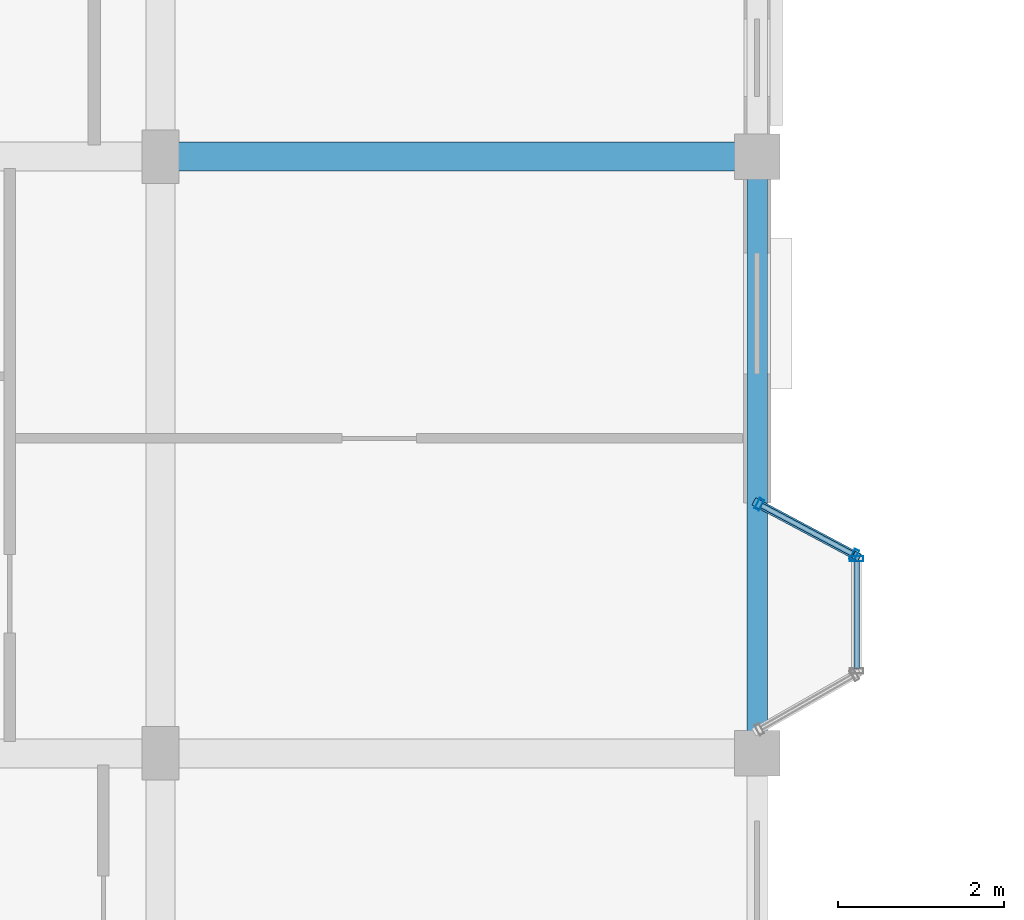
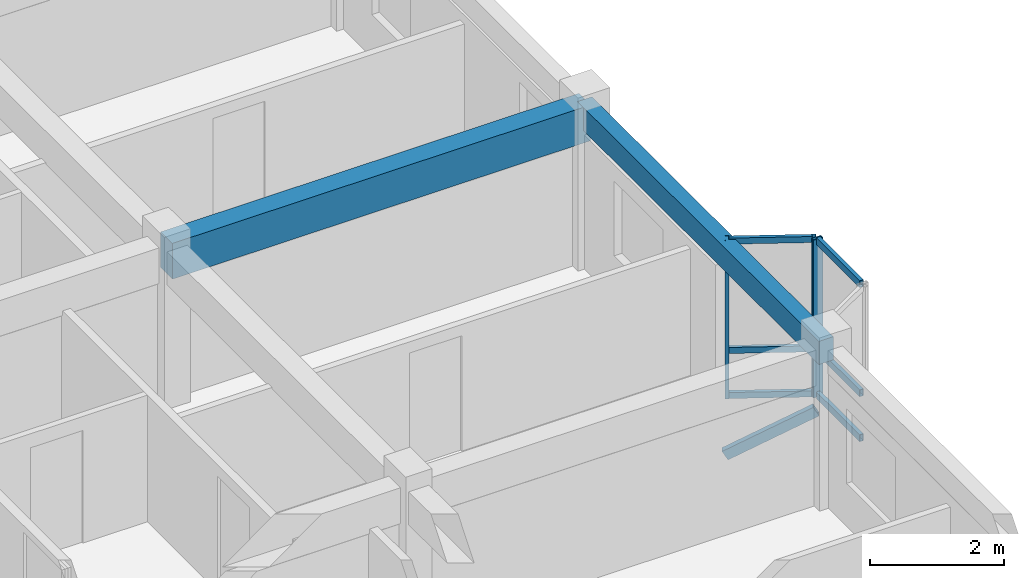
# One storey, part 11 of 77: 10 members, 2 beams, 2 elements without a shape of their own.
"""IFC4 building model written with IfcOpenShell, lengths in metres."""

from ifc_helpers import new_model, si_unit, direction, frame, origin, origin_2d, place, context, subcontext, project, spatial, rectangle, hollow_rectangle, extrude, material, layer, layer_set, material_profile, profile_set, type_object, element, aggregate, save


model = new_model("IFC4")

# Units and contexts
model_context = context("Model", 3, precision=1e-05, world=origin(), true_north=direction((0.0, 1.0)))
body_context = subcontext(model_context, "Body", "Model", "MODEL_VIEW")
ifc_project = project(units=[si_unit("LENGTHUNIT", "METRE"), si_unit("AREAUNIT", "SQUARE_METRE"), si_unit("VOLUMEUNIT", "CUBIC_METRE"), si_unit("PLANEANGLEUNIT", "RADIAN"), si_unit("MASSUNIT", "GRAM", prefix="KILO"), si_unit("THERMODYNAMICTEMPERATUREUNIT", "KELVIN"), si_unit("POWERUNIT", "WATT")], contexts=[model_context])

# Site, building, storey
site_placement = place(None, origin())
site = spatial("IfcSite", under=ifc_project, at=site_placement, CompositionType="ELEMENT")
building_placement = place(site_placement, origin())
building = spatial("IfcBuilding", under=site, at=building_placement, Name="Tavuni Mirador Residences", CompositionType="ELEMENT")
storey_placement = place(building_placement, frame((0.0, 0.0, 17.10009765625)))
storey = spatial("IfcBuildingStorey", under=building, at=storey_placement, Name="L05", CompositionType="ELEMENT", Elevation=17.10009765625)

# Beams
ifc_material_1 = material(Name="Precast concrete C40/50", Category="concrete")
ifc_material_profile_1 = material_profile(ifc_material_1, rectangle(XDim=0.35009765625, YDim=0.64990234375, at=origin_2d()), Name="PC 350x650", Category="concrete")
ifc_profile_set_1 = profile_set([ifc_material_profile_1], Name="Precast concrete C40/50")
beam_type_1 = type_object("IfcBeamType", Name="BT-B650", PredefinedType="BEAM", material=ifc_profile_set_1)
beam_1_placement = place(storey_placement, frame((25.199951171875, 28.800048828125, 2.544921875), z_axis=(1.0, 0.0, 0.0), x_axis=(0.0, 1.0, 0.0)))
element("IfcBeam", 1, at=beam_1_placement, inside=storey, type_object=beam_type_1, Name="BMX-BLK-A-L05-03-03", PredefinedType="BEAM", context=body_context, shape_type="SweptSolid", body=[
    extrude(rectangle(XDim=0.35009765625, YDim=0.64990234375, at=origin_2d()), origin(), (0.0, 0.0, 1.0), 7.199951171875),
])
ifc_material_profile_2 = material_profile(ifc_material_1, rectangle(XDim=0.25, YDim=0.419921875, at=origin_2d()), Name="PC 250x420", Category="concrete")
ifc_profile_set_2 = profile_set([ifc_material_profile_2], Name="Precast concrete C40/50")
beam_type_2 = type_object("IfcBeamType", Name="BT-SP420", PredefinedType="SPANDREL", material=ifc_profile_set_2)
beam_2_placement = place(storey_placement, frame((32.39990234375, 21.60009765625, 2.659912109375), z_axis=(0.0, 1.0, 0.0), x_axis=(-1.0, 0.0, 0.0)))
element("IfcBeam", 2, at=beam_2_placement, inside=storey, type_object=beam_type_2, Name="BMY-BLK-A-L05-04-02", PredefinedType="SPANDREL", context=body_context, shape_type="SweptSolid", body=[
    extrude(rectangle(XDim=0.25, YDim=0.419921875, at=origin_2d()), origin(), (0.0, 0.0, 1.0), 7.199951171875),
])

# Curtain wall, members
ifc_material_2 = material(Name="Anodised aluminium", Category="aluminium")
ifc_layer_1 = layer(ifc_material_2, 0.175048828125, Name="Anodised aluminium", Category="aluminium")
ifc_layer_set_1 = layer_set([ifc_layer_1], Name="Anodised aluminium")
curtain_wall_type_1 = type_object("IfcCurtainWallType", Name="CWT-MIR-C", PredefinedType="NOTDEFINED", material=ifc_layer_set_1)
curtain_wall_1_placement = place(storey_placement, origin())
curtain_wall_1 = element("IfcCurtainWall", 3, at=curtain_wall_1_placement, inside=storey, type_object=curtain_wall_type_1, Name="CW-MIR-A-E2-L05-M2", PredefinedType="NOTDEFINED")
ifc_material_profile_3 = material_profile(ifc_material_2, hollow_rectangle(XDim=0.06005859375, YDim=0.139892578125, WallThickness=0.00390625, at=origin_2d()), Name="ALU 60x140x4.0", Category="aluminium")
ifc_profile_set_3 = profile_set([ifc_material_profile_3], Name="Anodised aluminium")
member_type_1 = type_object("IfcMemberType", Name="CWM-140", PredefinedType="MULLION", material=ifc_profile_set_3)
member_1_placement = place(storey_placement, frame((33.573486328125, 23.994140625, 0.0), z_axis=(0.0, 0.0, 1.0), x_axis=(-0.882352941175, 0.470588235296, 0.0)))
member_1 = element("IfcMember", 4, at=member_1_placement, type_object=member_type_1, Name="CW-03 mullion 1", PredefinedType="MULLION", context=body_context, shape_type="SweptSolid", body=[
    extrude(hollow_rectangle(XDim=0.06005859375, YDim=0.139892578125, WallThickness=0.00390625, at=origin_2d()), origin(), (0.0, 0.0, 1.0), 2.869873046875),
])
member_2_placement = place(storey_placement, frame((32.426513671875, 24.60595703125, 0.0), z_axis=(0.0, 0.0, 1.0), x_axis=(-0.882352941175, 0.470588235296, 0.0)))
member_2 = element("IfcMember", 5, at=member_2_placement, type_object=member_type_1, Name="CW-03 mullion 2", PredefinedType="MULLION", context=body_context, shape_type="SweptSolid", body=[
    extrude(hollow_rectangle(XDim=0.06005859375, YDim=0.139892578125, WallThickness=0.00390625, at=origin_2d()), origin(), (0.0, 0.0, 1.0), 2.869873046875),
])

# Curtain wall, member
ifc_layer_2 = layer(ifc_material_2, 0.14990234375, Name="Anodised aluminium", Category="aluminium")
ifc_layer_set_2 = layer_set([ifc_layer_2], Name="Anodised aluminium")
curtain_wall_type_2 = type_object("IfcCurtainWallType", Name="CWT-MIR-B", PredefinedType="NOTDEFINED", material=ifc_layer_set_2)
curtain_wall_2_placement = place(storey_placement, origin())
curtain_wall_2 = element("IfcCurtainWall", 6, at=curtain_wall_2_placement, inside=storey, type_object=curtain_wall_type_2, Name="CW-MIR-A-E2-L05-MF", PredefinedType="NOTDEFINED")
ifc_material_profile_4 = material_profile(ifc_material_2, hollow_rectangle(XDim=0.06494140625, YDim=0.1650390625, WallThickness=0.00439453125, at=origin_2d()), Name="ALU 65x165x4.5", Category="aluminium")
ifc_profile_set_4 = profile_set([ifc_material_profile_4], Name="Anodised aluminium")
member_type_2 = type_object("IfcMemberType", Name="CWM-165", PredefinedType="MULLION", material=ifc_profile_set_4)
member_3_placement = place(storey_placement, frame((33.60009765625, 23.947509765625, 0.0), z_axis=(0.0, 0.0, 1.0), x_axis=(0.0, 1.0, 0.0)))
member_3 = element("IfcMember", 7, at=member_3_placement, type_object=member_type_2, Name="CW-02 mullion 2", PredefinedType="MULLION", context=body_context, shape_type="SweptSolid", body=[
    extrude(hollow_rectangle(XDim=0.06494140625, YDim=0.1650390625, WallThickness=0.00439453125, at=origin_2d()), origin(), (0.0, 0.0, 1.0), 2.869873046875),
])

# Member
ifc_material_profile_5 = material_profile(ifc_material_2, hollow_rectangle(XDim=0.06005859375, YDim=0.110107421875, WallThickness=0.00390625, at=origin_2d()), Name="ALU 60x110x4.0", Category="aluminium")
ifc_profile_set_5 = profile_set([ifc_material_profile_5], Name="Anodised aluminium")
member_type_3 = type_object("IfcMemberType", Name="CWT-110", PredefinedType="USERDEFINED", material=ifc_profile_set_5)
member_4_placement = place(storey_placement, frame((33.547119140625, 24.00830078125, 0.02978515625), z_axis=(-0.882385637708, 0.470526924168, 0.0), x_axis=(-0.470526924168, -0.882385637708, 0.0)))
member_4 = element("IfcMember", 8, at=member_4_placement, type_object=member_type_3, Name="CW-03 transom 1.1", ObjectType="TRANSOM", PredefinedType="USERDEFINED", context=body_context, shape_type="SweptSolid", body=[
    extrude(hollow_rectangle(XDim=0.06005859375, YDim=0.110107421875, WallThickness=0.00390625, at=origin_2d()), origin(), (0.0, 0.0, 1.0), 1.239990234375),
])

member_5_placement = place(storey_placement, frame((33.547119140625, 24.00830078125, 0.849853515625), z_axis=(-0.882385637708, 0.470526924168, 0.0), x_axis=(-0.470526924168, -0.882385637708, 0.0)))
member_5 = element("IfcMember", 9, at=member_5_placement, type_object=member_type_3, Name="CW-03 transom 1.2", ObjectType="TRANSOM", PredefinedType="USERDEFINED", context=body_context, shape_type="SweptSolid", body=[
    extrude(hollow_rectangle(XDim=0.06005859375, YDim=0.110107421875, WallThickness=0.00390625, at=origin_2d()), origin(), (0.0, 0.0, 1.0), 1.239990234375),
])

member_6_placement = place(storey_placement, frame((33.547119140625, 24.00830078125, 2.83984375), z_axis=(-0.882385637708, 0.470526924168, 0.0), x_axis=(-0.470526924168, -0.882385637708, 0.0)))
member_6 = element("IfcMember", 10, at=member_6_placement, type_object=member_type_3, Name="CW-03 transom 1.3", ObjectType="TRANSOM", PredefinedType="USERDEFINED", context=body_context, shape_type="SweptSolid", body=[
    extrude(hollow_rectangle(XDim=0.06005859375, YDim=0.110107421875, WallThickness=0.00390625, at=origin_2d()), origin(), (0.0, 0.0, 1.0), 1.239990234375),
])

aggregate(curtain_wall_1, [member_1, member_2, member_4, member_5, member_6])

ifc_material_profile_6 = material_profile(ifc_material_2, hollow_rectangle(XDim=0.06494140625, YDim=0.125, WallThickness=0.00439453125, at=origin_2d()), Name="ALU 65x125x4.5", Category="aluminium")
ifc_profile_set_6 = profile_set([ifc_material_profile_6], Name="Anodised aluminium")
member_type_4 = type_object("IfcMemberType", Name="CWT-125", PredefinedType="USERDEFINED", material=ifc_profile_set_6)
member_7_placement = place(storey_placement, frame((33.60009765625, 22.625, 0.032470703125), z_axis=(0.0, 1.0, 0.0), x_axis=(-1.0, 0.0, 0.0)))
member_7 = element("IfcMember", 11, at=member_7_placement, type_object=member_type_4, Name="CW-02 transom 1.1", ObjectType="TRANSOM", PredefinedType="USERDEFINED", context=body_context, shape_type="SweptSolid", body=[
    extrude(hollow_rectangle(XDim=0.06494140625, YDim=0.125, WallThickness=0.00439453125, at=origin_2d()), origin(), (0.0, 0.0, 1.0), 1.2900390625),
])

member_8_placement = place(storey_placement, frame((33.60009765625, 22.625, 0.849853515625), z_axis=(0.0, 1.0, 0.0), x_axis=(-1.0, 0.0, 0.0)))
member_8 = element("IfcMember", 12, at=member_8_placement, type_object=member_type_4, Name="CW-02 transom 1.2", ObjectType="TRANSOM", PredefinedType="USERDEFINED", context=body_context, shape_type="SweptSolid", body=[
    extrude(hollow_rectangle(XDim=0.06494140625, YDim=0.125, WallThickness=0.00439453125, at=origin_2d()), origin(), (0.0, 0.0, 1.0), 1.2900390625),
])

member_9_placement = place(storey_placement, frame((33.60009765625, 22.625, 2.83740234375), z_axis=(0.0, 1.0, 0.0), x_axis=(-1.0, 0.0, 0.0)))
member_9 = element("IfcMember", 13, at=member_9_placement, type_object=member_type_4, Name="CW-02 transom 1.3", ObjectType="TRANSOM", PredefinedType="USERDEFINED", context=body_context, shape_type="SweptSolid", body=[
    extrude(hollow_rectangle(XDim=0.06494140625, YDim=0.125, WallThickness=0.00439453125, at=origin_2d()), origin(), (0.0, 0.0, 1.0), 1.2900390625),
])

aggregate(curtain_wall_2, [member_3, member_7, member_8, member_9])

ifc_material_3 = material(Name="Structural steel S355", Category="steel")
ifc_material_profile_7 = material_profile(ifc_material_3, hollow_rectangle(XDim=0.10009765625, YDim=0.179931640625, WallThickness=0.008056640625, at=origin_2d()), Name="RHS 180x100x8.0", Category="steel")
ifc_profile_set_7 = profile_set([ifc_material_profile_7], Name="Structural steel S355")
member_type_5 = type_object("IfcMemberType", Name="MT-BR-RHS180", PredefinedType="BRACE", material=ifc_profile_set_7)
member_10_placement = place(storey_placement, frame((32.39990234375, 24.6201171875, -1.050048828125), z_axis=(0.767847080655, -0.409539268811, 0.492634192918), x_axis=(0.470606866739, 0.882343004153, 0.0)))
element("IfcMember", 14, at=member_10_placement, inside=storey, type_object=member_type_5, Name="MBRK-MIR-A-E2-L05-2", PredefinedType="BRACE", context=body_context, shape_type="SweptSolid", body=[
    extrude(hollow_rectangle(XDim=0.10009765625, YDim=0.179931640625, WallThickness=0.008056640625, at=origin_2d()), origin(), (0.0, 0.0, 1.0), 1.56298828125),
])

save(model, "model.ifc")
